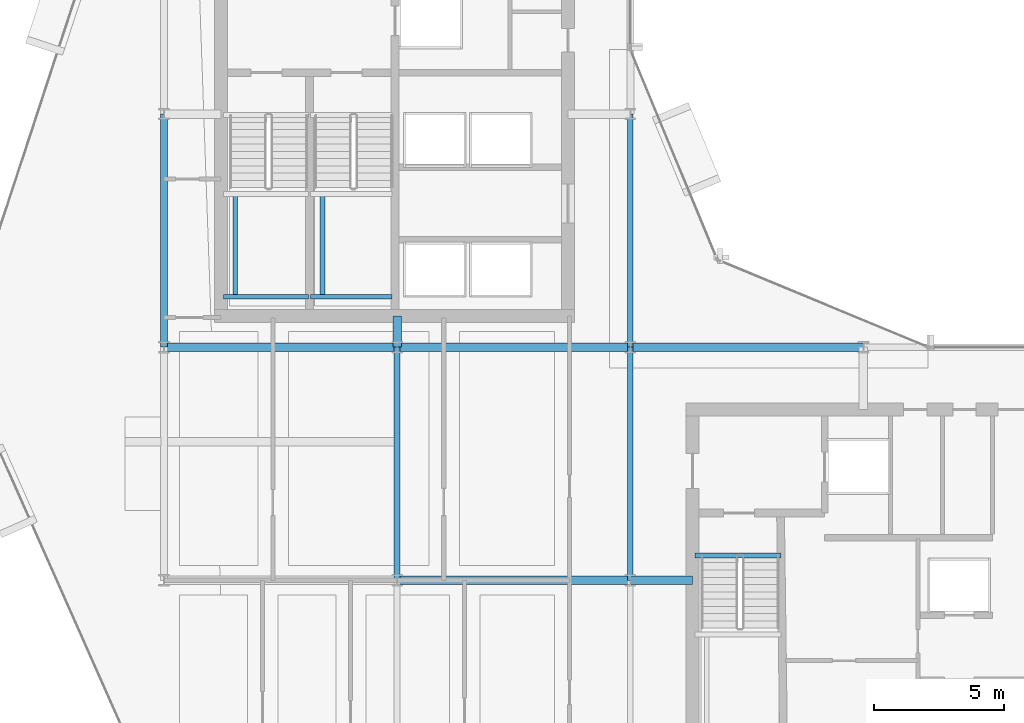
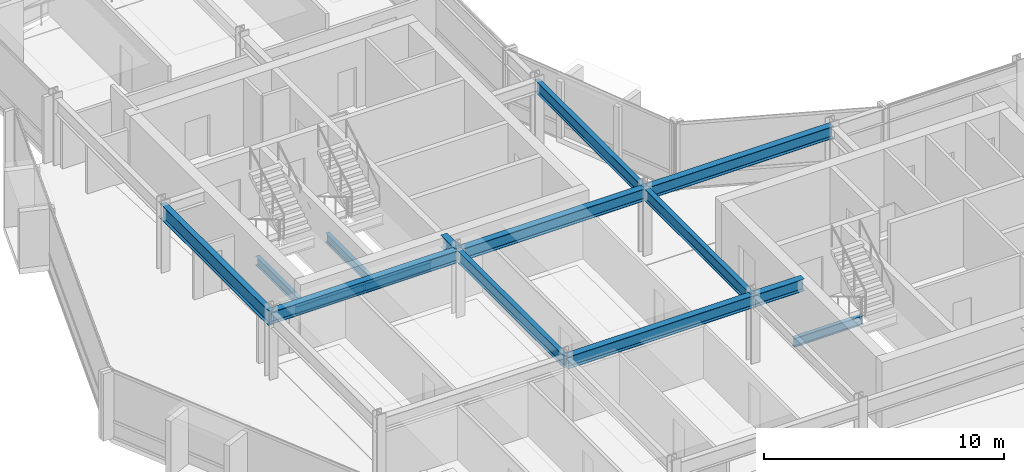
# One storey, part 7 of 28: 15 beams.
"""IFC4 building model written with IfcOpenShell, lengths in metres."""

from ifc_helpers import new_model, si_unit, direction, frame, origin, origin_2d, place, context, subcontext, project, spatial, i_section, extrude, material, material_profile, profile_set, type_object, element, save


model = new_model("IFC4")

# Units and contexts
model_context = context("Model", 3, precision=1e-05, world=origin(), true_north=direction((0.0, 1.0)))
body_context = subcontext(model_context, "Body", "Model", "MODEL_VIEW")
ifc_project = project(units=[si_unit("LENGTHUNIT", "METRE"), si_unit("AREAUNIT", "SQUARE_METRE"), si_unit("VOLUMEUNIT", "CUBIC_METRE"), si_unit("PLANEANGLEUNIT", "RADIAN"), si_unit("MASSUNIT", "GRAM", prefix="KILO")], contexts=[model_context])

# Site, building, storey
site_placement = place(None, origin())
site = spatial("IfcSite", under=ifc_project, at=site_placement, CompositionType="ELEMENT")
building_placement = place(site_placement, origin())
building = spatial("IfcBuilding", under=site, at=building_placement, Name="Solvaryn Broadcast Tower", CompositionType="ELEMENT")
storey_placement = place(building_placement, frame((0.0, 0.0, 154.39990234375)))
storey = spatial("IfcBuildingStorey", under=building, at=storey_placement, Name="L38", CompositionType="ELEMENT", Elevation=154.39990234375)

# Beams
ifc_material_1 = material(Name="Steel ASTM A992 Grade 50", Category="steel")
ifc_material_profile_1 = material_profile(ifc_material_1, i_section(OverallWidth=0.323974609375, OverallDepth=0.611083984375, WebThickness=0.0126953125, FlangeThickness=0.01904296875, FilletRadius=0.014892578125, at=origin_2d()))
ifc_profile_set_1 = profile_set([ifc_material_profile_1], Name="Steel ASTM A992 Grade 50")
beam_type_1 = type_object("IfcBeamType", Name="BM-B1-W24X104", PredefinedType="BEAM", material=ifc_profile_set_1)
for number, where, z_axis, x_axis, name in (
    (1, (18.0, 18.0, 3.114501953125), (1.0, 0.0, 0.0), (0.0, 1.0, 0.0), "L38 Primary Beam X (18-27 @ Y=18)"),
    (2, (9.0, 27.0, 3.114501953125), (1.0, 0.0, 0.0), (0.0, 1.0, 0.0), "L38 Primary Beam X (9-18 @ Y=27)"),
    (3, (18.0, 27.0, 3.114501953125), (1.0, 0.0, 0.0), (0.0, 1.0, 0.0), "L38 Primary Beam X (18-27 @ Y=27)"),
    (4, (27.0, 27.0, 3.114501953125), (1.0, 0.0, 0.0), (0.0, 1.0, 0.0), "L38 Primary Beam X (27-36 @ Y=27)"),
):
    element("IfcBeam", number, at=place(storey_placement, frame(where, z_axis=z_axis, x_axis=x_axis)), inside=storey, type_object=beam_type_1, Name=name, PredefinedType="BEAM", context=body_context, shape_type="SweptSolid", body=[
        extrude(i_section(OverallWidth=0.323974609375, OverallDepth=0.611083984375, WebThickness=0.0126953125, FlangeThickness=0.01904296875, FilletRadius=0.014892578125, at=origin_2d()), origin(), (0.0, 0.0, 1.0), 9.0),
    ])
beam_1_placement = place(storey_placement, frame((18.0, 27.0, 3.114501953125), z_axis=(0.0, 1.0, 0.0), x_axis=(-1.0, 0.0, 0.0)))
element("IfcBeam", 5, at=beam_1_placement, inside=storey, type_object=beam_type_1, Name="L38 Core Tie Beam CTW4", PredefinedType="BEAM", context=body_context, shape_type="SweptSolid", body=[
    extrude(i_section(OverallWidth=0.323974609375, OverallDepth=0.611083984375, WebThickness=0.0126953125, FlangeThickness=0.01904296875, FilletRadius=0.014892578125, at=origin_2d()), origin(), (0.0, 0.0, 1.0), 1.199951171875),
])
beam_2_placement = place(storey_placement, frame((27.0, 18.0, 3.114501953125), z_axis=(1.0, 0.0, 0.0), x_axis=(0.0, 1.0, 0.0)))
element("IfcBeam", 6, at=beam_2_placement, inside=storey, type_object=beam_type_1, Name="L38 Core Tie Beam CTE4", PredefinedType="BEAM", context=body_context, shape_type="SweptSolid", body=[
    extrude(i_section(OverallWidth=0.323974609375, OverallDepth=0.611083984375, WebThickness=0.0126953125, FlangeThickness=0.01904296875, FilletRadius=0.014892578125, at=origin_2d()), origin(), (0.0, 0.0, 1.0), 2.39990234375),
])
ifc_material_2 = material(Name="Steel ASTM A992 Grade 50", Category="steel")
ifc_material_profile_2 = material_profile(ifc_material_2, i_section(OverallWidth=0.22802734375, OverallDepth=0.60791015625, WebThickness=0.01123046875, FlangeThickness=0.017333984375, FilletRadius=0.014892578125, at=origin_2d()))
ifc_profile_set_2 = profile_set([ifc_material_profile_2], Name="Steel ASTM A992 Grade 50")
beam_type_2 = type_object("IfcBeamType", Name="BM-B2-W24X76", PredefinedType="BEAM", material=ifc_profile_set_2)
for number, where, z_axis, x_axis, name in (
    (7, (18.0, 18.0, 3.1162109375), (0.0, 1.0, 0.0), (-1.0, 0.0, 0.0), "L38 Primary Beam Y (18-27 @ X=18)"),
    (8, (27.0, 18.0, 3.1162109375), (0.0, 1.0, 0.0), (-1.0, 0.0, 0.0), "L38 Primary Beam Y (18-27 @ X=27)"),
    (9, (27.0, 27.0, 3.1162109375), (0.0, 1.0, 0.0), (-1.0, 0.0, 0.0), "L38 Primary Beam Y (27-36 @ X=27)"),
):
    element("IfcBeam", number, at=place(storey_placement, frame(where, z_axis=z_axis, x_axis=x_axis)), inside=storey, type_object=beam_type_2, Name=name, PredefinedType="BEAM", context=body_context, shape_type="SweptSolid", body=[
        extrude(i_section(OverallWidth=0.22802734375, OverallDepth=0.60791015625, WebThickness=0.01123046875, FlangeThickness=0.017333984375, FilletRadius=0.014892578125, at=origin_2d()), origin(), (0.0, 0.0, 1.0), 9.0),
    ])
ifc_material_3 = material(Name="Steel ASTM A992 Grade 50", Category="steel")
ifc_material_profile_3 = material_profile(ifc_material_3, i_section(OverallWidth=0.18994140625, OverallDepth=0.45703125, WebThickness=0.009033203125, FlangeThickness=0.014404296875, FilletRadius=0.011962890625, at=origin_2d()))
ifc_profile_set_3 = profile_set([ifc_material_profile_3], Name="Steel ASTM A992 Grade 50")
beam_type_3 = type_object("IfcBeamType", Name="BM-B4-W18X50", PredefinedType="BEAM", material=ifc_profile_set_3)
beam_3_placement = place(storey_placement, frame((11.300048828125, 28.949951171875, 1.421630859375), z_axis=(1.0, 0.0, 0.0), x_axis=(0.0, 1.0, 0.0)))
element("IfcBeam", 10, at=beam_3_placement, inside=storey, type_object=beam_type_3, Name="L38 ST1 Landing Support Beam 1A", PredefinedType="BEAM", context=body_context, shape_type="SweptSolid", body=[
    extrude(i_section(OverallWidth=0.18994140625, OverallDepth=0.45703125, WebThickness=0.009033203125, FlangeThickness=0.014404296875, FilletRadius=0.011962890625, at=origin_2d()), origin(), (0.0, 0.0, 1.0), 3.280029296875),
])
beam_4_placement = place(storey_placement, frame((11.75, 28.949951171875, 1.421630859375), z_axis=(0.0, 1.0, 0.0), x_axis=(-1.0, 0.0, 0.0)))
element("IfcBeam", 11, at=beam_4_placement, inside=storey, type_object=beam_type_3, Name="L38 ST1 Landing Cross Stringer 1C", PredefinedType="BEAM", context=body_context, shape_type="SweptSolid", body=[
    extrude(i_section(OverallWidth=0.18994140625, OverallDepth=0.45703125, WebThickness=0.009033203125, FlangeThickness=0.014404296875, FilletRadius=0.011962890625, at=origin_2d()), origin(), (0.0, 0.0, 1.0), 3.9599609375),
])
beam_5_placement = place(storey_placement, frame((14.659912109375, 28.949951171875, 1.421630859375), z_axis=(1.0, 0.0, 0.0), x_axis=(0.0, 1.0, 0.0)))
element("IfcBeam", 12, at=beam_5_placement, inside=storey, type_object=beam_type_3, Name="L38 ST2 Landing Support Beam 1A", PredefinedType="BEAM", context=body_context, shape_type="SweptSolid", body=[
    extrude(i_section(OverallWidth=0.18994140625, OverallDepth=0.45703125, WebThickness=0.009033203125, FlangeThickness=0.014404296875, FilletRadius=0.011962890625, at=origin_2d()), origin(), (0.0, 0.0, 1.0), 3.14013671875),
])
beam_6_placement = place(storey_placement, frame((15.110107421875, 28.949951171875, 1.421630859375), z_axis=(0.0, 1.0, 0.0), x_axis=(-1.0, 0.0, 0.0)))
element("IfcBeam", 13, at=beam_6_placement, inside=storey, type_object=beam_type_3, Name="L38 ST2 Landing Cross Stringer 1C", PredefinedType="BEAM", context=body_context, shape_type="SweptSolid", body=[
    extrude(i_section(OverallWidth=0.18994140625, OverallDepth=0.45703125, WebThickness=0.009033203125, FlangeThickness=0.014404296875, FilletRadius=0.011962890625, at=origin_2d()), origin(), (0.0, 0.0, 1.0), 3.9599609375),
])
beam_7_placement = place(storey_placement, frame((29.5, 18.9599609375, -0.50830078125), z_axis=(1.0, 0.0, 0.0), x_axis=(0.0, 1.0, 0.0)))
element("IfcBeam", 14, at=beam_7_placement, inside=storey, type_object=beam_type_3, Name="L38 ST3 Stair Well Trimmer Beam", PredefinedType="BEAM", context=body_context, shape_type="SweptSolid", body=[
    extrude(i_section(OverallWidth=0.18994140625, OverallDepth=0.45703125, WebThickness=0.009033203125, FlangeThickness=0.014404296875, FilletRadius=0.011962890625, at=origin_2d()), origin(), (0.0, 0.0, 1.0), 3.320068359375),
])
ifc_material_4 = material(Name="Steel ASTM A992 Grade 50", Category="steel")
ifc_material_profile_4 = material_profile(ifc_material_4, i_section(OverallWidth=0.26708984375, OverallDepth=0.76611328125, WebThickness=0.014892578125, FlangeThickness=0.023681640625, FilletRadius=0.01806640625, at=origin_2d()))
ifc_profile_set_4 = profile_set([ifc_material_profile_4], Name="Steel ASTM A992 Grade 50")
beam_type_4 = type_object("IfcBeamType", Name="BM-SP2-W30X124", PredefinedType="USERDEFINED", material=ifc_profile_set_4)
beam_8_placement = place(storey_placement, frame((9.0, 27.0, 3.037109375), z_axis=(0.0, 1.0, 0.0), x_axis=(-1.0, 0.0, 0.0)))
element("IfcBeam", 15, at=beam_8_placement, inside=storey, type_object=beam_type_4, Name="L38 Spandrel Beam Y (27-36 @ X=9)", ObjectType="SPANDREL", PredefinedType="USERDEFINED", context=body_context, shape_type="SweptSolid", body=[
    extrude(i_section(OverallWidth=0.26708984375, OverallDepth=0.76611328125, WebThickness=0.014892578125, FlangeThickness=0.023681640625, FilletRadius=0.01806640625, at=origin_2d()), origin(), (0.0, 0.0, 1.0), 9.0),
])

save(model, "model.ifc")
